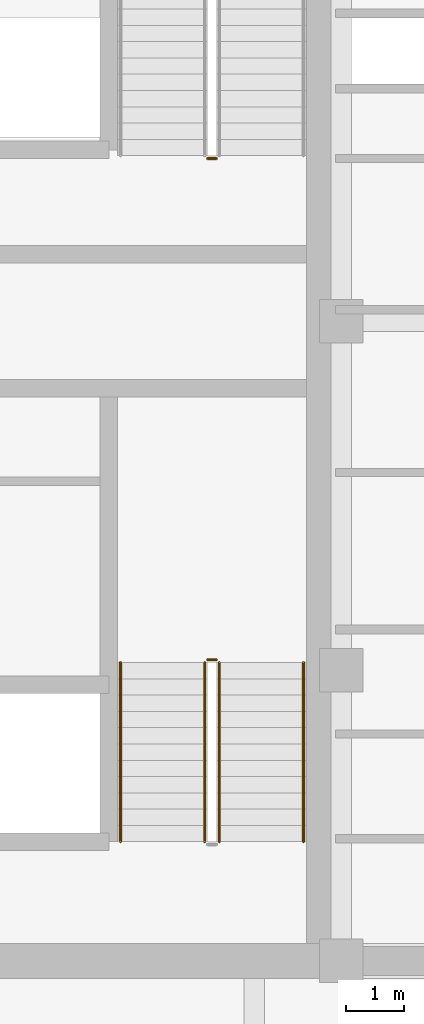
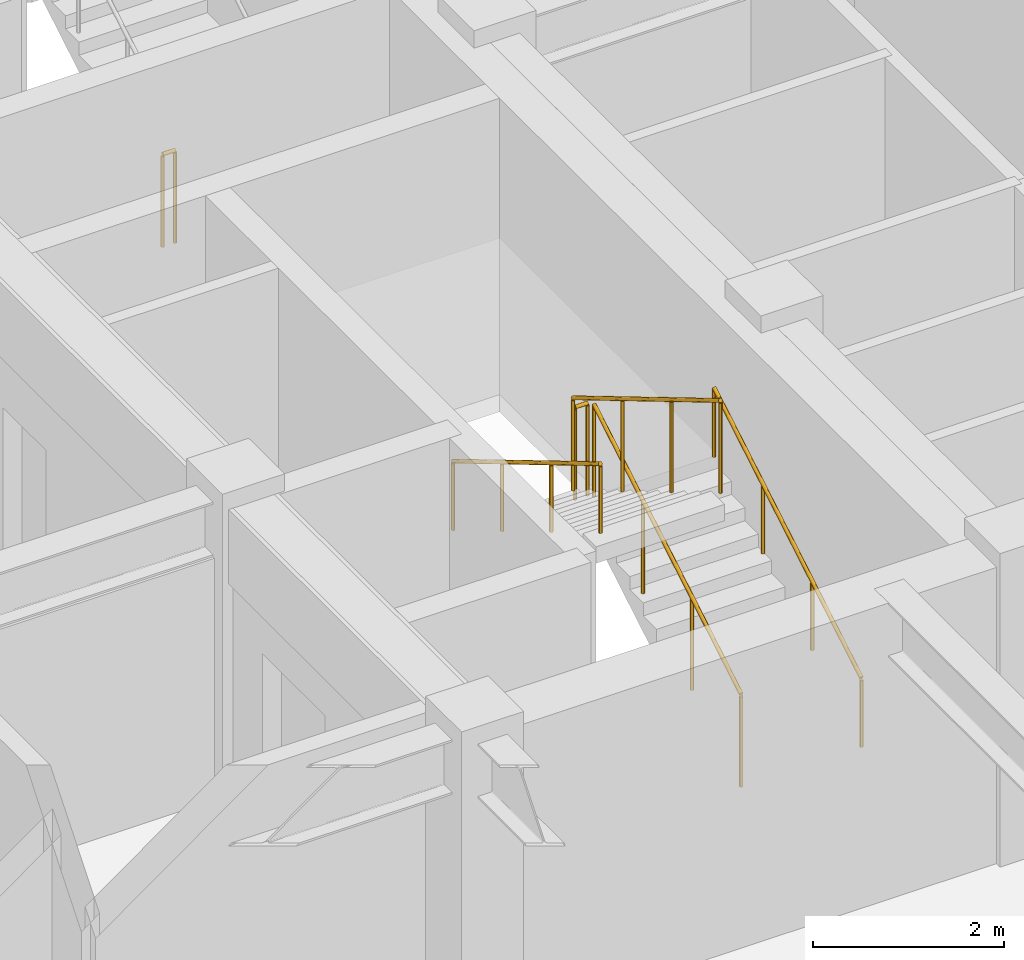
# One storey, part 24 of 27: 6 railings.
"""IFC4 building model written with IfcOpenShell, lengths in metres."""

from ifc_helpers import new_model, si_unit, direction, frame, origin, origin_2d, place, context, subcontext, project, spatial, circle, extrude, source, transform, mapped, material, type_object, element, save


model = new_model("IFC4")

# Units and contexts
model_context = context("Model", 3, precision=1e-05, world=origin(), true_north=direction((0.0, 1.0)))
body_context = subcontext(model_context, "Body", "Model", "MODEL_VIEW")
ifc_project = project(units=[si_unit("LENGTHUNIT", "METRE"), si_unit("AREAUNIT", "SQUARE_METRE"), si_unit("VOLUMEUNIT", "CUBIC_METRE"), si_unit("PLANEANGLEUNIT", "RADIAN"), si_unit("MASSUNIT", "GRAM", prefix="KILO")], contexts=[model_context])

# Site, building, storey
site_placement = place(None, origin())
site = spatial("IfcSite", under=ifc_project, at=site_placement, CompositionType="ELEMENT")
building_placement = place(site_placement, origin())
building = spatial("IfcBuilding", under=site, at=building_placement, Name="Khorayat Bourse Tower", CompositionType="ELEMENT")
storey_placement = place(building_placement, frame((0.0, 0.0, 285.5)))
storey = spatial("IfcBuildingStorey", under=building, at=storey_placement, Name="L67", CompositionType="ELEMENT", Elevation=285.5)

# Railings
ifc_material_1 = material(Name="Powder-coated steel balustrade", Category="steel")
railing_type_1 = type_object("IfcRailingType", Name="RLG-GUARD-1200", PredefinedType="GUARDRAIL", material=ifc_material_1)
shared_shape_1 = source(origin(), body_context, "Body", "SweptSolid", [
    extrude(circle(Radius=0.02392578125, at=origin_2d()), frame((0.0, 0.0, 1.17578125), z_axis=(-1.0, 0.0, 0.0), x_axis=(0.0, -1.0, 0.0)), (0.0, 0.0, 1.0), 0.150146484375),
    extrude(circle(Radius=0.02099609375, at=origin_2d()), origin(), (0.0, 0.0, 1.0), 1.15185546875),
    extrude(circle(Radius=0.02099609375, at=origin_2d()), frame((-0.150146484375, 0.0, 0.0)), (0.0, 0.0, 1.0), 1.15185546875),
])
for number, where, name in (
    (1, (-6.64990234375, -5.820068359375, 2.0), "L67 ST-1 stair guard 2"),
    (2, (-6.64990234375, 2.800048828125, 0.0), "L67 ST-2 stair guard 4"),
):
    element("IfcRailing", number, at=place(storey_placement, frame(where)), inside=storey, type_object=railing_type_1, Name=name, PredefinedType="GUARDRAIL", context=body_context, shape_type="MappedRepresentation", body=[
        mapped(shared_shape_1, transform((0.0, 0.0, 0.0), scale=1.0)),
    ])
shared_shape_2 = source(origin(), body_context, "Body", "SweptSolid", [
    extrude(circle(Radius=0.02392578125, at=origin_2d()), frame((0.0, 0.0, 1.17578125), z_axis=(0.0, 0.859290745958, 0.51148745235), x_axis=(-1.0, 0.0, 0.0)), (0.0, 0.0, 1.0), 3.584228515625),
    extrude(circle(Radius=0.02099609375, at=origin_2d()), origin(), (0.0, 0.0, 1.0), 1.15185546875),
    extrude(circle(Radius=0.02099609375, at=origin_2d()), frame((0.0, 1.026611328125, 0.611083984375)), (0.0, 0.0, 1.0), 1.15185546875),
    extrude(circle(Radius=0.02099609375, at=origin_2d()), frame((0.0, 2.05322265625, 1.22216796875)), (0.0, 0.0, 1.0), 1.15185546875),
    extrude(circle(Radius=0.02099609375, at=origin_2d()), frame((0.0, 3.079833984375, 1.833251953125)), (0.0, 0.0, 1.0), 1.15185546875),
])
railing_1_placement = place(storey_placement, frame((-6.60009765625, -8.949951171875, 0.166748046875)))
element("IfcRailing", 3, at=railing_1_placement, inside=storey, type_object=railing_type_1, Name="L67 ST-1 stair guard 1", PredefinedType="GUARDRAIL", context=body_context, shape_type="MappedRepresentation", body=[
    mapped(shared_shape_2, transform((0.0, 0.0, 0.0), scale=1.0)),
])
shared_shape_3 = source(origin(), body_context, "Body", "SweptSolid", [
    extrude(circle(Radius=0.02392578125, at=origin_2d()), frame((0.0, 0.0, 1.17578125), z_axis=(0.0, -0.859290745958, 0.51148745235), x_axis=(1.0, 0.0, 0.0)), (0.0, 0.0, 1.0), 3.584228515625),
    extrude(circle(Radius=0.02099609375, at=origin_2d()), origin(), (0.0, 0.0, 1.0), 1.15185546875),
    extrude(circle(Radius=0.02099609375, at=origin_2d()), frame((0.0, -1.026611328125, 0.611083984375)), (0.0, 0.0, 1.0), 1.15185546875),
    extrude(circle(Radius=0.02099609375, at=origin_2d()), frame((0.0, -2.05322265625, 1.22216796875)), (0.0, 0.0, 1.0), 1.15185546875),
    extrude(circle(Radius=0.02099609375, at=origin_2d()), frame((0.0, -3.079833984375, 1.833251953125)), (0.0, 0.0, 1.0), 1.15185546875),
])
railing_2_placement = place(storey_placement, frame((-6.85009765625, -5.8701171875, 2.166748046875)))
element("IfcRailing", 4, at=railing_2_placement, inside=storey, type_object=railing_type_1, Name="L67 ST-1 stair guard 3", PredefinedType="GUARDRAIL", context=body_context, shape_type="MappedRepresentation", body=[
    mapped(shared_shape_3, transform((0.0, 0.0, 0.0), scale=1.0)),
])
ifc_material_2 = material(Name="Brushed bronze stainless-steel handrail", Category="steel")
railing_type_2 = type_object("IfcRailingType", Name="RLG-HAND-900", PredefinedType="HANDRAIL", material=ifc_material_2)
shared_shape_4 = source(origin(), body_context, "Body", "SweptSolid", [
    extrude(circle(Radius=0.02392578125, at=origin_2d()), frame((0.0, 0.0, 0.8759765625), z_axis=(0.0, 0.859290745958, 0.51148745235), x_axis=(-1.0, 0.0, 0.0)), (0.0, 0.0, 1.0), 3.584228515625),
    extrude(circle(Radius=0.02099609375, at=origin_2d()), origin(), (0.0, 0.0, 1.0), 0.851806640625),
    extrude(circle(Radius=0.02099609375, at=origin_2d()), frame((0.0, 1.026611328125, 0.611083984375)), (0.0, 0.0, 1.0), 0.851806640625),
    extrude(circle(Radius=0.02099609375, at=origin_2d()), frame((0.0, 2.05322265625, 1.22216796875)), (0.0, 0.0, 1.0), 0.851806640625),
    extrude(circle(Radius=0.02099609375, at=origin_2d()), frame((0.0, 3.079833984375, 1.833251953125)), (0.0, 0.0, 1.0), 0.851806640625),
])
railing_3_placement = place(storey_placement, frame((-5.14990234375, -8.949951171875, 0.166748046875)))
element("IfcRailing", 5, at=railing_3_placement, inside=storey, type_object=railing_type_2, Name="L67 ST-1 stair handrail 1", PredefinedType="HANDRAIL", context=body_context, shape_type="MappedRepresentation", body=[
    mapped(shared_shape_4, transform((0.0, 0.0, 0.0), scale=1.0)),
])
shared_shape_5 = source(origin(), body_context, "Body", "SweptSolid", [
    extrude(circle(Radius=0.02392578125, at=origin_2d()), frame((0.0, 0.0, 0.8759765625), z_axis=(0.0, -0.859290745958, 0.51148745235), x_axis=(1.0, 0.0, 0.0)), (0.0, 0.0, 1.0), 3.584228515625),
    extrude(circle(Radius=0.02099609375, at=origin_2d()), origin(), (0.0, 0.0, 1.0), 0.851806640625),
    extrude(circle(Radius=0.02099609375, at=origin_2d()), frame((0.0, -1.026611328125, 0.611083984375)), (0.0, 0.0, 1.0), 0.851806640625),
    extrude(circle(Radius=0.02099609375, at=origin_2d()), frame((0.0, -2.05322265625, 1.22216796875)), (0.0, 0.0, 1.0), 0.851806640625),
    extrude(circle(Radius=0.02099609375, at=origin_2d()), frame((0.0, -3.079833984375, 1.833251953125)), (0.0, 0.0, 1.0), 0.851806640625),
])
railing_4_placement = place(storey_placement, frame((-8.300048828125, -5.8701171875, 2.166748046875)))
element("IfcRailing", 6, at=railing_4_placement, inside=storey, type_object=railing_type_2, Name="L67 ST-1 stair handrail 2", PredefinedType="HANDRAIL", context=body_context, shape_type="MappedRepresentation", body=[
    mapped(shared_shape_5, transform((0.0, 0.0, 0.0), scale=1.0)),
])

save(model, "model.ifc")
